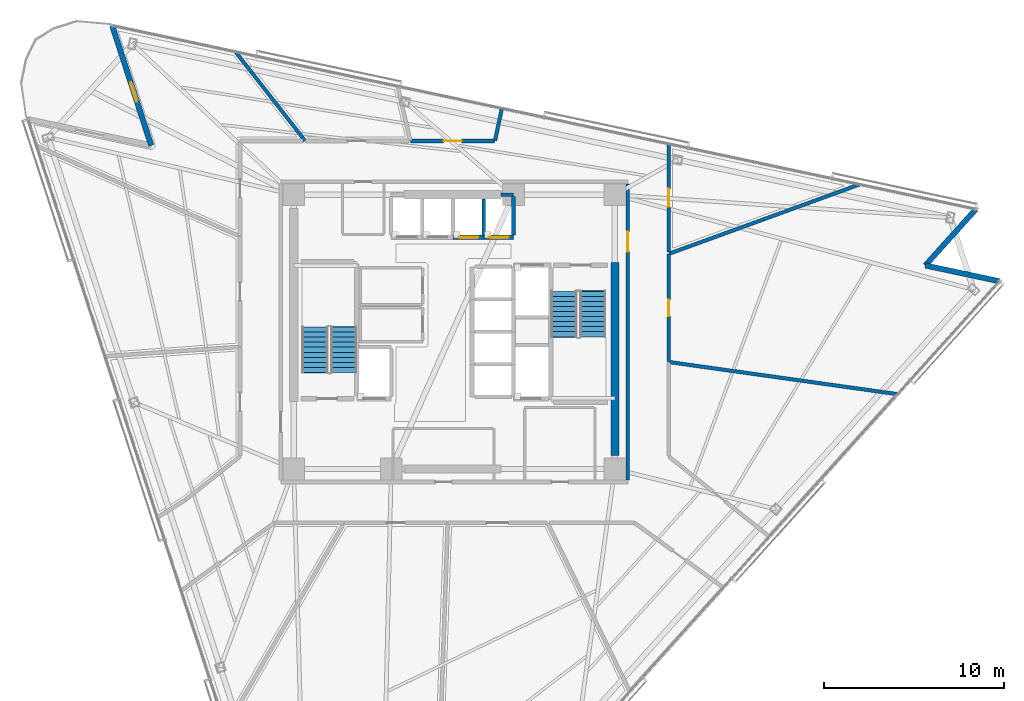
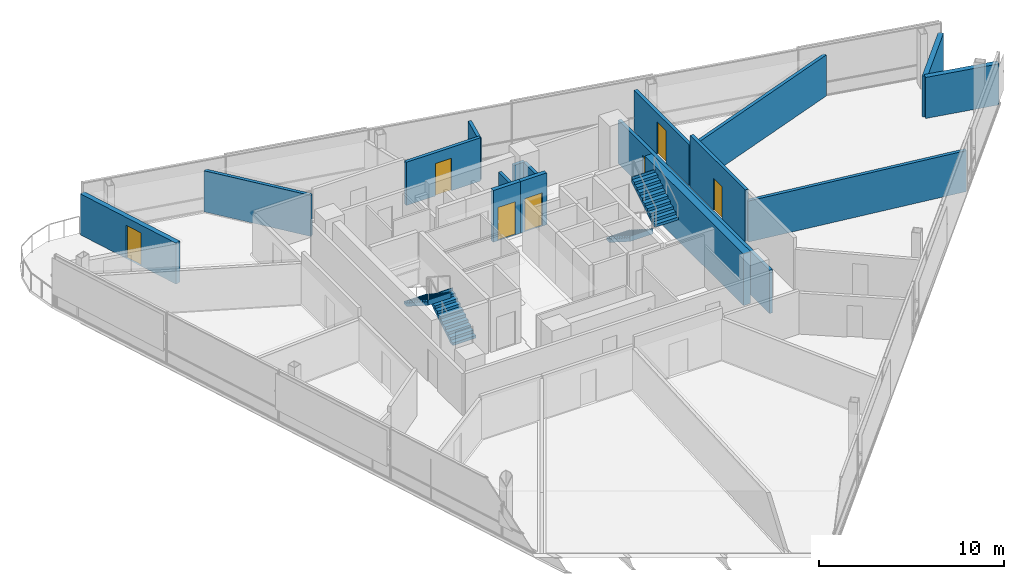
# One storey, part 12 of 17: 17 walls, 7 doors, 4 stair flights, 7 openings, 2 elements without a shape of their own.
"""IFC4 building model written with IfcOpenShell, lengths in metres."""

from ifc_helpers import new_model, si_unit, direction, frame, frame_2d, origin, place, context, subcontext, project, spatial, polyline, rectangle, outline, extrude, material, layer, layer_set, type_object, element, fill, aggregate, save


model = new_model("IFC4")

# Units and contexts
model_context = context("Model", 3, precision=1e-05, world=origin(), true_north=direction((0.0, 1.0)))
body_context = subcontext(model_context, "Body", "Model", "MODEL_VIEW")
ifc_project = project(units=[si_unit("LENGTHUNIT", "METRE"), si_unit("AREAUNIT", "SQUARE_METRE"), si_unit("VOLUMEUNIT", "CUBIC_METRE"), si_unit("PLANEANGLEUNIT", "RADIAN"), si_unit("MASSUNIT", "GRAM", prefix="KILO")], contexts=[model_context])

# Site, building, storey
site_placement = place(None, origin())
site = spatial("IfcSite", under=ifc_project, at=site_placement, CompositionType="ELEMENT")
building_placement = place(site_placement, origin())
building = spatial("IfcBuilding", under=site, at=building_placement, Name="Tharavind Bronze Gate", CompositionType="ELEMENT")
storey_placement = place(building_placement, frame((0.0, 0.0, 214.85009765625)))
storey = spatial("IfcBuildingStorey", under=building, at=storey_placement, Name="L55", CompositionType="ELEMENT", Elevation=214.85009765625)

# Wall, opening, door
ifc_material_1 = material(Name="Concrete C40/50", Category="concrete")
ifc_layer_1 = layer(ifc_material_1, 0.300048828125)
ifc_layer_set_1 = layer_set([ifc_layer_1], Name="Concrete C40/50")
wall_type_1 = type_object("IfcWallType", Name="EXTERIOR SPANDREL WALL 300", PredefinedType="STANDARD", material=ifc_layer_set_1)
wall_1_placement = place(storey_placement, frame((-18.959716796875, 16.967529296875, 0.0), z_axis=(0.0, 0.0, 1.0), x_axis=(0.309030708092, -0.951052060329, 0.0)))
wall_1 = element("IfcWall", 1, at=wall_1_placement, inside=storey, type_object=wall_type_1, Name="L55 notch cheek wall 1A", PredefinedType="STANDARD", context=body_context, shape_type="SweptSolid", body=[
    extrude(rectangle(XDim=6.979736328125, YDim=0.300048828125, at=frame_2d((3.48974609375, 0.0))), origin(), (0.0, 0.0, 1.0), 2.71484375),
])
opening_1_placement = place(wall_1_placement, frame((3.31005859375, 0.0, 0.0)))
opening_1 = element("IfcOpeningElement", 2, at=opening_1_placement, cuts=wall_1, Name="Opening ED04", PredefinedType="OPENING", context=body_context, shape_type="SweptSolid", body=[
    extrude(rectangle(XDim=1.10009765625, YDim=2.199951171875, at=frame_2d((0.550048828125, 1.10009765625))), frame((0.0, 0.15990234375, 0.0), z_axis=(0.0, -1.0, 0.0), x_axis=(1.0, 0.0, 0.0)), (0.0, 0.0, 1.0), 0.320048828125),
])
ifc_material_2 = material(Name="Bronze Aluminium & Toughened Glass", Category="aluminium")
door_type_1 = type_object("IfcDoorType", Name="TREE BALCONY ACCESS DOOR 1100X2200", OperationType="SINGLE_SWING_LEFT", PredefinedType="DOOR", material=ifc_material_2)
door_1_placement = place(opening_1_placement, frame((1.10009765625, 0.0, 0.0), z_axis=(0.0, 0.0, 1.0), x_axis=(-1.0, 0.0, 0.0)))
door_1 = element("IfcDoor", 3, at=door_1_placement, inside=storey, type_object=door_type_1, Name="L55 tree balcony access door", OperationType="SINGLE_SWING_LEFT", OverallHeight=2.199951171875, OverallWidth=1.10009765625, PredefinedType="DOOR", context=body_context, shape_type="SweptSolid", body=[
    extrude(rectangle(XDim=1.10009765625, YDim=2.199951171875, at=frame_2d((0.550048828125, 1.10009765625))), frame((0.0, 0.02490234375, 0.0), z_axis=(0.0, -1.0, 0.0), x_axis=(1.0, 0.0, 0.0)), (0.0, 0.0, 1.0), 0.050048828125),
])
fill(opening_1, door_1)

# Walls
for number, where, z_axis, x_axis, name in (
    (4, (30.199462890625, 2.810546875, 0.0), (0.0, 0.0, 1.0), (-0.978144033538, 0.207928472445, 0.0), "L55 notch cheek wall 3A"),
    (5, (26.102783203125, 3.681396484375, 0.0), (0.0, 0.0, 1.0), (0.669151507466, 0.743126005504, 0.0), "L55 notch cheek wall 3B"),
):
    element("IfcWall", number, at=place(storey_placement, frame(where, z_axis=z_axis, x_axis=x_axis)), inside=storey, type_object=wall_type_1, Name=name, PredefinedType="STANDARD", context=body_context, shape_type="SweptSolid", body=[
        extrude(rectangle(XDim=4.188232421875, YDim=0.300048828125, at=frame_2d((2.09423828125, 0.0))), origin(), (0.0, 0.0, 1.0), 2.71484375),
    ])

# Wall, opening, door
ifc_material_3 = material(Name="Aerated Concrete Block", Category="concrete")
ifc_layer_2 = layer(ifc_material_3, 0.199951171875)
ifc_layer_set_2 = layer_set([ifc_layer_2], Name="Aerated Concrete Block")
wall_type_2 = type_object("IfcWallType", Name="FIRE RATED PARTITION 200", PredefinedType="PARTITIONING", material=ifc_layer_set_2)
wall_2_placement = place(storey_placement, frame((9.6201171875, -8.199951171875, 0.0), z_axis=(0.0, 0.0, 1.0), x_axis=(0.0, 1.0, 0.0)))
wall_2 = element("IfcWall", 6, at=wall_2_placement, inside=storey, type_object=wall_type_2, Name="L55 east core corridor wall", PredefinedType="PARTITIONING", context=body_context, shape_type="SweptSolid", body=[
    extrude(rectangle(XDim=16.39990234375, YDim=0.199951171875, at=frame_2d((8.199951171875, 0.0))), origin(), (0.0, 0.0, 1.0), 2.864990234375),
])
opening_2_placement = place(wall_2_placement, frame((12.64990234375, 0.0, 0.0)))
opening_2 = element("IfcOpeningElement", 7, at=opening_2_placement, cuts=wall_2, Name="Opening ID01", PredefinedType="OPENING", context=body_context, shape_type="SweptSolid", body=[
    extrude(rectangle(XDim=1.10009765625, YDim=2.14990234375, at=frame_2d((0.550048828125, 1.074951171875))), frame((0.0, 0.11009765625, 0.0), z_axis=(0.0, -1.0, 0.0), x_axis=(1.0, 0.0, 0.0)), (0.0, 0.0, 1.0), 0.219951171875),
])
ifc_material_4 = material(Name="Fire-Rated Steel", Category="steel")
door_type_2 = type_object("IfcDoorType", Name="STAIR CORE FIRE DOOR 1100X2150", OperationType="SINGLE_SWING_LEFT", PredefinedType="DOOR", material=ifc_material_4)
door_2_placement = place(opening_2_placement, frame((1.10009765625, 0.0, 0.0), z_axis=(0.0, 0.0, 1.0), x_axis=(-1.0, 0.0, 0.0)))
door_2 = element("IfcDoor", 8, at=door_2_placement, inside=storey, type_object=door_type_2, Name="L55 north east stair lobby fire door", OperationType="SINGLE_SWING_LEFT", OverallHeight=2.14990234375, OverallWidth=1.10009765625, PredefinedType="DOOR", context=body_context, shape_type="SweptSolid", body=[
    extrude(rectangle(XDim=1.10009765625, YDim=2.14990234375, at=frame_2d((0.550048828125, 1.074951171875))), frame((0.0, 0.02490234375, 0.0), z_axis=(0.0, -1.0, 0.0), x_axis=(1.0, 0.0, 0.0)), (0.0, 0.0, 1.0), 0.050048828125),
])
fill(opening_2, door_2)

# Walls
wall_3_placement = place(storey_placement, frame((11.908447265625, -1.673583984375, 0.0), z_axis=(0.0, 0.0, 1.0), x_axis=(0.990269091079, -0.139165826457, 0.0)))
element("IfcWall", 9, at=wall_3_placement, inside=storey, type_object=wall_type_2, Name="L55 Public Restrooms Block partition", PredefinedType="PARTITIONING", context=body_context, shape_type="SweptSolid", body=[
    extrude(rectangle(XDim=12.776611328125, YDim=0.199951171875, at=frame_2d((6.38818359375, 0.0))), origin(), (0.0, 0.0, 1.0), 2.71484375),
])
wall_4_placement = place(storey_placement, frame((22.4404296875, 8.167724609375, 0.0), z_axis=(0.0, 0.0, 1.0), x_axis=(-0.939690299273, -0.342026521564, 0.0)))
element("IfcWall", 10, at=wall_4_placement, inside=storey, type_object=wall_type_2, Name="L55 Climate Office A partition", PredefinedType="PARTITIONING", context=body_context, shape_type="SweptSolid", body=[
    extrude(rectangle(XDim=11.202392578125, YDim=0.199951171875, at=frame_2d((5.60107421875, 0.0))), origin(), (0.0, 0.0, 1.0), 2.71484375),
])

# Wall, opening, door
wall_5_placement = place(storey_placement, frame((11.8798828125, 4.435791015625, 0.0), z_axis=(0.0, 0.0, 1.0), x_axis=(0.0, 1.0, 0.0)))
wall_5 = element("IfcWall", 11, at=wall_5_placement, inside=storey, type_object=wall_type_2, Name="L55 Climate Office A partition", PredefinedType="PARTITIONING", context=body_context, shape_type="SweptSolid", body=[
    extrude(rectangle(XDim=5.9765625, YDim=0.199951171875, at=frame_2d((2.98828125, 0.0))), origin(), (0.0, 0.0, 1.0), 2.71484375),
])
opening_3_placement = place(wall_5_placement, frame((2.488037109375, 0.0, 0.0)))
opening_3 = element("IfcOpeningElement", 12, at=opening_3_placement, cuts=wall_5, Name="Opening ID04", PredefinedType="OPENING", context=body_context, shape_type="SweptSolid", body=[
    extrude(rectangle(XDim=1.0, YDim=2.14990234375, at=frame_2d((0.5, 1.074951171875))), frame((0.0, 0.11009765625, 0.0), z_axis=(0.0, -1.0, 0.0), x_axis=(1.0, 0.0, 0.0)), (0.0, 0.0, 1.0), 0.219951171875),
])
ifc_material_5 = material(Name="Bronze Framed Acoustic Timber", Category="wood")
door_type_3 = type_object("IfcDoorType", Name="OFFICE TENANCY DOOR 1000X2150", OperationType="SINGLE_SWING_RIGHT", PredefinedType="DOOR", material=ifc_material_5)
door_3_placement = place(opening_3_placement, origin())
door_3 = element("IfcDoor", 13, at=door_3_placement, inside=storey, type_object=door_type_3, Name="L55 Climate Office A door", OperationType="SINGLE_SWING_RIGHT", OverallHeight=2.14990234375, OverallWidth=1.0, PredefinedType="DOOR", context=body_context, shape_type="SweptSolid", body=[
    extrude(rectangle(XDim=1.0, YDim=2.14990234375, at=frame_2d((0.5, 1.074951171875))), frame((0.0, 0.02490234375, 0.0), z_axis=(0.0, -1.0, 0.0), x_axis=(1.0, 0.0, 0.0)), (0.0, 0.0, 1.0), 0.050048828125),
])
fill(opening_3, door_3)

# Wall
wall_6_placement = place(storey_placement, frame((2.6259765625, 12.35400390625, 0.0), z_axis=(0.0, 0.0, 1.0), x_axis=(-0.207883178831, -0.978153660709, 0.0)))
element("IfcWall", 14, at=wall_6_placement, inside=storey, type_object=wall_type_2, Name="L55 Climate Office B partition", PredefinedType="PARTITIONING", context=body_context, shape_type="SweptSolid", body=[
    extrude(rectangle(XDim=1.793212890625, YDim=0.199951171875, at=frame_2d((0.896484375, 0.0))), origin(), (0.0, 0.0, 1.0), 2.71484375),
])

# Wall, opening, door
wall_7_placement = place(storey_placement, frame((2.228515625, 10.580078125, 0.0), z_axis=(0.0, 0.0, 1.0), x_axis=(-1.0, 0.0, 0.0)))
wall_7 = element("IfcWall", 15, at=wall_7_placement, inside=storey, type_object=wall_type_2, Name="L55 Climate Office B partition", PredefinedType="PARTITIONING", context=body_context, shape_type="SweptSolid", body=[
    extrude(rectangle(XDim=4.651123046875, YDim=0.199951171875, at=frame_2d((2.32568359375, 0.0))), origin(), (0.0, 0.0, 1.0), 2.864990234375),
])
opening_4_placement = place(wall_7_placement, frame((1.825927734375, 0.0, 0.0)))
opening_4 = element("IfcOpeningElement", 16, at=opening_4_placement, cuts=wall_7, Name="Opening ID04", PredefinedType="OPENING", context=body_context, shape_type="SweptSolid", body=[
    extrude(rectangle(XDim=1.0, YDim=2.14990234375, at=frame_2d((0.5, 1.074951171875))), frame((0.0, 0.11009765625, 0.0), z_axis=(0.0, -1.0, 0.0), x_axis=(1.0, 0.0, 0.0)), (0.0, 0.0, 1.0), 0.219951171875),
])
door_4_placement = place(opening_4_placement, origin())
door_4 = element("IfcDoor", 17, at=door_4_placement, inside=storey, type_object=door_type_3, Name="L55 Climate Office B door", OperationType="SINGLE_SWING_RIGHT", OverallHeight=2.14990234375, OverallWidth=1.0, PredefinedType="DOOR", context=body_context, shape_type="SweptSolid", body=[
    extrude(rectangle(XDim=1.0, YDim=2.14990234375, at=frame_2d((0.5, 1.074951171875))), frame((0.0, 0.02490234375, 0.0), z_axis=(0.0, -1.0, 0.0), x_axis=(1.0, 0.0, 0.0)), (0.0, 0.0, 1.0), 0.050048828125),
])
fill(opening_4, door_4)

# Wall
wall_8_placement = place(storey_placement, frame((-8.2734375, 10.589599609375, 0.0), z_axis=(0.0, 0.0, 1.0), x_axis=(-0.615672850964, 0.788001865851, 0.0)))
element("IfcWall", 18, at=wall_8_placement, inside=storey, type_object=wall_type_2, Name="L55 Climate Office C partition", PredefinedType="PARTITIONING", context=body_context, shape_type="SweptSolid", body=[
    extrude(rectangle(XDim=6.2490234375, YDim=0.199951171875, at=frame_2d((3.12451171875, 0.0))), origin(), (0.0, 0.0, 1.0), 2.71484375),
])

# Wall, opening, door
wall_9_placement = place(storey_placement, frame((11.8798828125, -1.64794921875, 0.0), z_axis=(0.0, 0.0, 1.0), x_axis=(0.0, 1.0, 0.0)))
wall_9 = element("IfcWall", 19, at=wall_9_placement, inside=storey, type_object=wall_type_2, Name="L55 Archive Store partition", PredefinedType="PARTITIONING", context=body_context, shape_type="SweptSolid", body=[
    extrude(rectangle(XDim=5.954345703125, YDim=0.199951171875, at=frame_2d((2.97705078125, 0.0))), origin(), (0.0, 0.0, 1.0), 3.419921875),
])
opening_5_placement = place(wall_9_placement, frame((2.527099609375, 0.0, 0.0)))
opening_5 = element("IfcOpeningElement", 20, at=opening_5_placement, cuts=wall_9, Name="Opening ID07", PredefinedType="OPENING", context=body_context, shape_type="SweptSolid", body=[
    extrude(rectangle(XDim=0.89990234375, YDim=2.10009765625, at=frame_2d((0.449951171875, 1.050048828125))), frame((0.0, 0.11009765625, 0.0), z_axis=(0.0, -1.0, 0.0), x_axis=(1.0, 0.0, 0.0)), (0.0, 0.0, 1.0), 0.219951171875),
])
ifc_material_6 = material(Name="Galvanised Fire Steel", Category="steel")
door_type_4 = type_object("IfcDoorType", Name="PLANT AND RISER FIRE DOOR 900X2100", OperationType="SINGLE_SWING_LEFT", PredefinedType="DOOR", material=ifc_material_6)
door_5_placement = place(opening_5_placement, origin())
door_5 = element("IfcDoor", 21, at=door_5_placement, inside=storey, type_object=door_type_4, Name="L55 Archive Store door", OperationType="SINGLE_SWING_LEFT", OverallHeight=2.10009765625, OverallWidth=0.89990234375, PredefinedType="DOOR", context=body_context, shape_type="SweptSolid", body=[
    extrude(rectangle(XDim=0.89990234375, YDim=2.10009765625, at=frame_2d((0.449951171875, 1.050048828125))), frame((0.0, 0.02490234375, 0.0), z_axis=(0.0, -1.0, 0.0), x_axis=(1.0, 0.0, 0.0)), (0.0, 0.0, 1.0), 0.050048828125),
])
fill(opening_5, door_5)

ifc_material_7 = material(Name="Concrete C50/60", Category="concrete")
ifc_layer_3 = layer(ifc_material_7, 0.25)
ifc_layer_set_3 = layer_set([ifc_layer_3], Name="Concrete C50/60")
wall_type_3 = type_object("IfcWallType", Name="RC CORE SHEAR WALL 250", PredefinedType="SHEAR", material=ifc_layer_set_3)
wall_10_placement = place(storey_placement, frame((-0.074951171875, 5.25, 0.0), z_axis=(0.0, 0.0, 1.0), x_axis=(1.0, 0.0, 0.0)))
wall_10 = element("IfcWall", 22, at=wall_10_placement, inside=storey, type_object=wall_type_3, Name="L55 lift PL7 shaft front wall", PredefinedType="SHEAR", context=body_context, shape_type="SweptSolid", body=[
    extrude(rectangle(XDim=1.71240234375, YDim=0.25, at=frame_2d((0.856201171875, 0.0))), origin(), (0.0, 0.0, 1.0), 3.419921875),
])
opening_6_placement = place(wall_10_placement, frame((0.305908203125, 0.0, 0.0)))
opening_6 = element("IfcOpeningElement", 23, at=opening_6_placement, cuts=wall_10, Name="Opening LD01", PredefinedType="OPENING", context=body_context, shape_type="SweptSolid", body=[
    extrude(rectangle(XDim=1.10009765625, YDim=2.199951171875, at=frame_2d((0.550048828125, 1.10009765625))), frame((0.0, 0.135, 0.0), z_axis=(0.0, -1.0, 0.0), x_axis=(1.0, 0.0, 0.0)), (0.0, 0.0, 1.0), 0.27),
])
ifc_material_8 = material(Name="Brushed Bronze Stainless Steel", Category="steel")
door_type_5 = type_object("IfcDoorType", Name="LIFT LANDING SLIDING DOOR 1100X2200", OperationType="SLIDING_TO_LEFT", PredefinedType="DOOR", material=ifc_material_8)
door_6_placement = place(opening_6_placement, origin())
door_6 = element("IfcDoor", 24, at=door_6_placement, inside=storey, type_object=door_type_5, Name="L55 lift PL7 sliding landing door", OperationType="SLIDING_TO_LEFT", OverallHeight=2.199951171875, OverallWidth=1.10009765625, PredefinedType="DOOR", context=body_context, shape_type="SweptSolid", body=[
    extrude(rectangle(XDim=1.10009765625, YDim=2.199951171875, at=frame_2d((0.550048828125, 1.10009765625))), frame((0.0, 0.02490234375, 0.0), z_axis=(0.0, -1.0, 0.0), x_axis=(1.0, 0.0, 0.0)), (0.0, 0.0, 1.0), 0.050048828125),
])
fill(opening_6, door_6)

wall_11_placement = place(storey_placement, frame((1.637451171875, 5.25, 0.0), z_axis=(0.0, 0.0, 1.0), x_axis=(1.0, 0.0, 0.0)))
wall_11 = element("IfcWall", 25, at=wall_11_placement, inside=storey, type_object=wall_type_3, Name="L55 lift PL8 shaft front wall", PredefinedType="SHEAR", context=body_context, shape_type="SweptSolid", body=[
    extrude(rectangle(XDim=1.642578125, YDim=0.25, at=frame_2d((0.8212890625, 0.0))), origin(), (0.0, 0.0, 1.0), 3.419921875),
])
opening_7_placement = place(wall_11_placement, frame((0.27099609375, 0.0, 0.0)))
opening_7 = element("IfcOpeningElement", 26, at=opening_7_placement, cuts=wall_11, Name="Opening LD01", PredefinedType="OPENING", context=body_context, shape_type="SweptSolid", body=[
    extrude(rectangle(XDim=1.10009765625, YDim=2.199951171875, at=frame_2d((0.550048828125, 1.10009765625))), frame((0.0, 0.135, 0.0), z_axis=(0.0, -1.0, 0.0), x_axis=(1.0, 0.0, 0.0)), (0.0, 0.0, 1.0), 0.27),
])
door_7_placement = place(opening_7_placement, origin())
door_7 = element("IfcDoor", 27, at=door_7_placement, inside=storey, type_object=door_type_5, Name="L55 lift PL8 sliding landing door", OperationType="SLIDING_TO_LEFT", OverallHeight=2.199951171875, OverallWidth=1.10009765625, PredefinedType="DOOR", context=body_context, shape_type="SweptSolid", body=[
    extrude(rectangle(XDim=1.10009765625, YDim=2.199951171875, at=frame_2d((0.550048828125, 1.10009765625))), frame((0.0, 0.02490234375, 0.0), z_axis=(0.0, -1.0, 0.0), x_axis=(1.0, 0.0, 0.0)), (0.0, 0.0, 1.0), 0.050048828125),
])
fill(opening_7, door_7)

# Walls
ifc_material_9 = material(Name="Concrete C60/75", Category="concrete")
ifc_layer_4 = layer(ifc_material_9, 0.449951171875)
ifc_layer_set_4 = layer_set([ifc_layer_4], Name="Concrete C60/75")
wall_type_4 = type_object("IfcWallType", Name="RC CORE SHEAR WALL 450", PredefinedType="SHEAR", material=ifc_layer_set_4)
wall_12_placement = place(storey_placement, frame((8.89990234375, -6.85009765625, 0.0), z_axis=(0.0, 0.0, 1.0), x_axis=(0.0, 1.0, 0.0)))
element("IfcWall", 28, at=wall_12_placement, inside=storey, type_object=wall_type_4, Name="L55 east core shear wall", PredefinedType="SHEAR", context=body_context, shape_type="SweptSolid", body=[
    extrude(rectangle(XDim=10.7001953125, YDim=0.449951171875, at=frame_2d((5.35009765625, 0.0))), origin(), (0.0, 0.0, 1.0), 3.419921875),
])
ifc_layer_5 = layer(ifc_material_1, 0.199951171875)
ifc_layer_set_5 = layer_set([ifc_layer_5], Name="Concrete C40/50")
wall_type_5 = type_object("IfcWallType", Name="SHAFT ENCLOSURE WALL 200", PredefinedType="PARTITIONING", material=ifc_layer_set_5)
wall_13_placement = place(storey_placement, frame((1.637451171875, 5.3798828125, 0.0), z_axis=(0.0, 0.0, 1.0), x_axis=(0.0, 1.0, 0.0)))
element("IfcWall", 29, at=wall_13_placement, inside=storey, type_object=wall_type_5, Name="L55 lift PL7 shaft E enclosure wall", PredefinedType="PARTITIONING", context=body_context, shape_type="SweptSolid", body=[
    extrude(rectangle(XDim=1.990234375, YDim=0.199951171875, at=frame_2d((0.9951171875, 0.0))), origin(), (0.0, 0.0, 1.0), 2.71484375),
])
wall_14_placement = place(storey_placement, frame((2.580078125, 7.60009765625, 0.0), z_axis=(0.0, 0.0, 1.0), x_axis=(1.0, 0.0, 0.0)))
element("IfcWall", 30, at=wall_14_placement, inside=storey, type_object=wall_type_5, Name="L55 lift PL8 shaft N enclosure wall", PredefinedType="PARTITIONING", context=body_context, shape_type="SweptSolid", body=[
    extrude(rectangle(XDim=0.699951171875, YDim=0.199951171875, at=frame_2d((0.35009765625, 0.0))), origin(), (0.0, 0.0, 1.0), 2.71484375),
])
wall_15_placement = place(storey_placement, frame((3.280029296875, 5.3798828125, 0.0), z_axis=(0.0, 0.0, 1.0), x_axis=(0.0, 1.0, 0.0)))
element("IfcWall", 31, at=wall_15_placement, inside=storey, type_object=wall_type_5, Name="L55 lift PL8 shaft E enclosure wall", PredefinedType="PARTITIONING", context=body_context, shape_type="SweptSolid", body=[
    extrude(rectangle(XDim=2.115234375, YDim=0.199951171875, at=frame_2d((1.0576171875, 0.0))), origin(), (0.0, 0.0, 1.0), 2.71484375),
])

# Stair, stair flights
stair_type = type_object("IfcStairType", Name="CORE HALF TURN STAIR 1450", PredefinedType="HALF_TURN_STAIR", material=ifc_material_1)
stair_1_placement = place(storey_placement, origin())
stair_1 = element("IfcStair", 32, at=stair_1_placement, inside=storey, type_object=stair_type, Name="L55 Protected Exit Stair ST1", PredefinedType="HALF_TURN_STAIR")
stair_flight_type = type_object("IfcStairFlightType", Name="CORE STAIR FLIGHT 1450", PredefinedType="STRAIGHT", material=ifc_material_1)
stair_flight_1_placement = place(storey_placement, frame((-6.125, -2.25, 0.0), z_axis=(0.0, 0.0, 1.0), x_axis=(0.0, 1.0, 0.0)))
stair_flight_1 = element("IfcStairFlight", 33, at=stair_flight_1_placement, type_object=stair_flight_type, Name="ST1 flight 1", NumberOfRisers=10, NumberOfTreads=9, PredefinedType="STRAIGHT", RiserHeight=0.18, TreadLength=0.28, context=body_context, shape_type="SweptSolid", body=[
    extrude(outline(polyline([(0.0, 0.0), (0.0, 0.179931640625), (0.280029296875, 0.179931640625), (0.280029296875, 0.360107421875), (0.56005859375, 0.360107421875), (0.56005859375, 0.5400390625), (0.840087890625, 0.5400390625), (0.840087890625, 0.719970703125), (1.1201171875, 0.719970703125), (1.1201171875, 0.89990234375), (1.39990234375, 0.89990234375), (1.39990234375, 1.080078125), (1.679931640625, 1.080078125), (1.679931640625, 1.260009765625), (1.9599609375, 1.260009765625), (1.9599609375, 1.43994140625), (2.239990234375, 1.43994140625), (2.239990234375, 1.6201171875), (2.52001953125, 1.6201171875), (2.52001953125, 1.800048828125), (2.555908203125, 1.800048828125), (2.555908203125, 1.44189453125), (0.277099609375, 0.0), (0.0, 0.0)])), frame((0.0, 0.72509765625, 0.0), z_axis=(0.0, -1.0, 0.0), x_axis=(1.0, 0.0, 0.0)), (0.0, 0.0, 1.0), 1.449951171875),
])
stair_flight_2_placement = place(storey_placement, frame((-7.72509765625, 0.27001953125, 1.7998046875), z_axis=(0.0, 0.0, 1.0), x_axis=(0.0, -1.0, 0.0)))
stair_flight_2 = element("IfcStairFlight", 34, at=stair_flight_2_placement, type_object=stair_flight_type, Name="ST1 flight 2", NumberOfRisers=10, NumberOfTreads=9, PredefinedType="STRAIGHT", RiserHeight=0.18, TreadLength=0.28, context=body_context, shape_type="SweptSolid", body=[
    extrude(outline(polyline([(0.0, 0.0), (0.0, 0.179931640625), (0.280029296875, 0.179931640625), (0.280029296875, 0.360107421875), (0.56005859375, 0.360107421875), (0.56005859375, 0.5400390625), (0.840087890625, 0.5400390625), (0.840087890625, 0.719970703125), (1.1201171875, 0.719970703125), (1.1201171875, 0.89990234375), (1.39990234375, 0.89990234375), (1.39990234375, 1.080078125), (1.679931640625, 1.080078125), (1.679931640625, 1.260009765625), (1.9599609375, 1.260009765625), (1.9599609375, 1.43994140625), (2.239990234375, 1.43994140625), (2.239990234375, 1.6201171875), (2.52001953125, 1.6201171875), (2.52001953125, 1.800048828125), (2.555908203125, 1.800048828125), (2.555908203125, 1.44189453125), (0.277099609375, 0.0), (0.0, 0.0)])), frame((0.0, 0.72509765625, 0.0), z_axis=(0.0, -1.0, 0.0), x_axis=(1.0, 0.0, 0.0)), (0.0, 0.0, 1.0), 1.449951171875),
])
aggregate(stair_1, [stair_flight_1, stair_flight_2])

stair_2_placement = place(storey_placement, origin())
stair_2 = element("IfcStair", 35, at=stair_2_placement, inside=storey, type_object=stair_type, Name="L55 Protected Exit Stair ST2", PredefinedType="HALF_TURN_STAIR")
stair_flight_3_placement = place(storey_placement, frame((6.074951171875, 2.25, 0.0), z_axis=(0.0, 0.0, 1.0), x_axis=(0.0, -1.0, 0.0)))
stair_flight_3 = element("IfcStairFlight", 36, at=stair_flight_3_placement, type_object=stair_flight_type, Name="ST2 flight 1", NumberOfRisers=10, NumberOfTreads=9, PredefinedType="STRAIGHT", RiserHeight=0.18, TreadLength=0.28, context=body_context, shape_type="SweptSolid", body=[
    extrude(outline(polyline([(0.0, 0.0), (0.0, 0.179931640625), (0.280029296875, 0.179931640625), (0.280029296875, 0.360107421875), (0.56005859375, 0.360107421875), (0.56005859375, 0.5400390625), (0.840087890625, 0.5400390625), (0.840087890625, 0.719970703125), (1.1201171875, 0.719970703125), (1.1201171875, 0.89990234375), (1.39990234375, 0.89990234375), (1.39990234375, 1.080078125), (1.679931640625, 1.080078125), (1.679931640625, 1.260009765625), (1.9599609375, 1.260009765625), (1.9599609375, 1.43994140625), (2.239990234375, 1.43994140625), (2.239990234375, 1.6201171875), (2.52001953125, 1.6201171875), (2.52001953125, 1.800048828125), (2.555908203125, 1.800048828125), (2.555908203125, 1.44189453125), (0.277099609375, 0.0), (0.0, 0.0)])), frame((0.0, 0.72509765625, 0.0), z_axis=(0.0, -1.0, 0.0), x_axis=(1.0, 0.0, 0.0)), (0.0, 0.0, 1.0), 1.449951171875),
])
stair_flight_4_placement = place(storey_placement, frame((7.675048828125, -0.27001953125, 1.7998046875), z_axis=(0.0, 0.0, 1.0), x_axis=(0.0, 1.0, 0.0)))
stair_flight_4 = element("IfcStairFlight", 37, at=stair_flight_4_placement, type_object=stair_flight_type, Name="ST2 flight 2", NumberOfRisers=10, NumberOfTreads=9, PredefinedType="STRAIGHT", RiserHeight=0.18, TreadLength=0.28, context=body_context, shape_type="SweptSolid", body=[
    extrude(outline(polyline([(0.0, 0.0), (0.0, 0.179931640625), (0.280029296875, 0.179931640625), (0.280029296875, 0.360107421875), (0.56005859375, 0.360107421875), (0.56005859375, 0.5400390625), (0.840087890625, 0.5400390625), (0.840087890625, 0.719970703125), (1.1201171875, 0.719970703125), (1.1201171875, 0.89990234375), (1.39990234375, 0.89990234375), (1.39990234375, 1.080078125), (1.679931640625, 1.080078125), (1.679931640625, 1.260009765625), (1.9599609375, 1.260009765625), (1.9599609375, 1.43994140625), (2.239990234375, 1.43994140625), (2.239990234375, 1.6201171875), (2.52001953125, 1.6201171875), (2.52001953125, 1.800048828125), (2.555908203125, 1.800048828125), (2.555908203125, 1.44189453125), (0.277099609375, 0.0), (0.0, 0.0)])), frame((0.0, 0.72509765625, 0.0), z_axis=(0.0, -1.0, 0.0), x_axis=(1.0, 0.0, 0.0)), (0.0, 0.0, 1.0), 1.449951171875),
])
aggregate(stair_2, [stair_flight_3, stair_flight_4])

save(model, "model.ifc")
